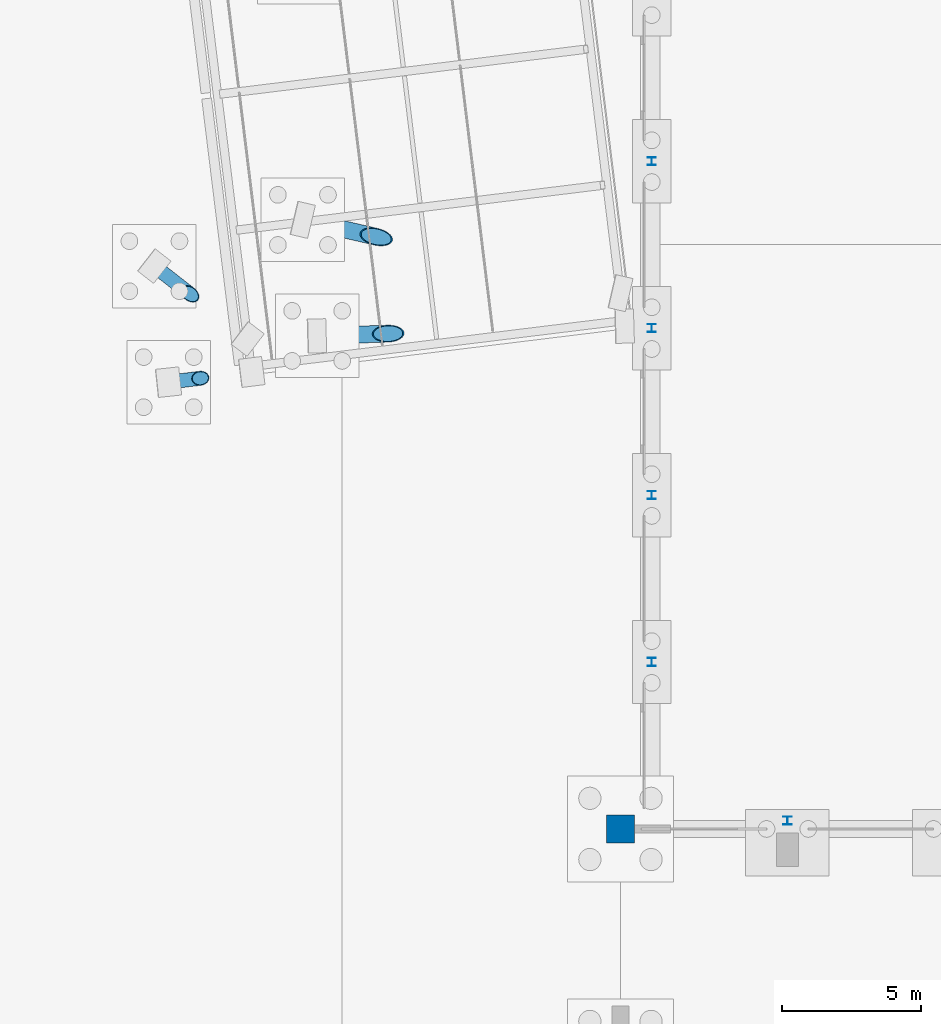
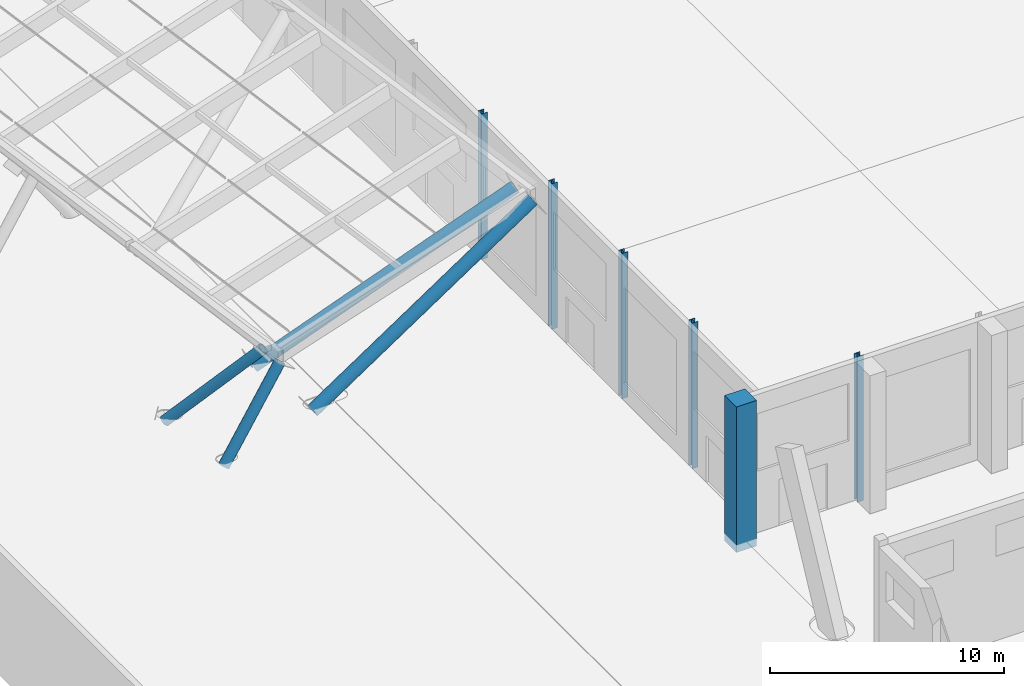
# One storey, part 28 of 239: 10 columns.
"""IFC4 building model written with IfcOpenShell, lengths in metres."""

import ifcopenshell
import ifcopenshell.guid

model = None  # the IFC model being written
_history = None  # IfcOwnerHistory: only IFC2X3 demands one
_inside = {}  # id of a spatial element -> (the spatial element, [elements in it])
_under = {}  # id of a project, library or spatial element -> (it, [spatial elements below it])
_declared = {}  # id of a project -> (the project, [libraries it declares])
_typed = {}  # id of a type object -> (the type object, [elements of that type])
_made_of = {}  # id of a material, layer set ... -> (it, [elements and type objects made of it])


def new_model(schema):
    """Start an empty IFC model of exactly this schema.

    Asked for "IFC4X3", IfcOpenShell would pick the latest addendum, in which some entities
    have other attributes; the version numbers below select the first issue.
    IFC2X3 requires an IfcOwnerHistory on every rooted entity: one is made here for all.
    """
    global model, _history
    if schema == "IFC4X3":
        model = ifcopenshell.file(schema_version=(4, 3, 0, 0))
    else:
        model = ifcopenshell.file(schema=schema)
    _inside.clear()
    _under.clear()
    _declared.clear()
    _typed.clear()
    _made_of.clear()
    _history = None
    if model.schema == "IFC2X3":
        org = make("IfcOrganization", Name="unknown")
        user = make(
            "IfcPersonAndOrganization",
            ThePerson=make("IfcPerson", FamilyName="unknown"),
            TheOrganization=org,
        )
        app = make(
            "IfcApplication",
            ApplicationDeveloper=org,
            Version="unknown",
            ApplicationFullName="unknown",
            ApplicationIdentifier="unknown",
        )
        _history = make(
            "IfcOwnerHistory",
            OwningUser=user,
            OwningApplication=app,
            ChangeAction="ADDED",
            CreationDate=0,
        )
    return model


def make(cls, **values):
    """One entity of the class cls with the attributes given. An attribute that is None is left unset."""
    return model.create_entity(
        cls, **{name: value for name, value in values.items() if value is not None}
    )


def rooted(cls, **values):
    """An entity with a GlobalId (a new one), such as an element, a storey or a relation."""
    return make(cls, GlobalId=ifcopenshell.guid.new(), OwnerHistory=_history, **values)


def si_unit(unit_type, name, prefix=None):
    """IfcSIUnit, for example si_unit("LENGTHUNIT", "METRE", prefix="MILLI")."""
    return make("IfcSIUnit", UnitType=unit_type, Prefix=prefix, Name=name)


def assignment(units):
    """IfcUnitAssignment: the units of a project."""
    return None if units is None else make("IfcUnitAssignment", Units=units)


def point(xyz):
    """IfcCartesianPoint."""
    return None if xyz is None else make("IfcCartesianPoint", Coordinates=xyz)


def direction(xyz):
    """IfcDirection."""
    return None if xyz is None else make("IfcDirection", DirectionRatios=xyz)


def frame(location, z_axis=None, x_axis=None):
    """IfcAxis2Placement3D, a coordinate frame: its origin and axes. An axis left out is left unset."""
    return make(
        "IfcAxis2Placement3D",
        Location=point(location),
        Axis=direction(z_axis),
        RefDirection=direction(x_axis),
    )


def frame_2d(location, x_axis=None):
    """IfcAxis2Placement2D, a coordinate frame in the plane: its origin and x axis."""
    return make(
        "IfcAxis2Placement2D", Location=point(location), RefDirection=direction(x_axis)
    )


def origin():
    """The frame at (0, 0, 0) with its axes left unset."""
    return frame((0.0, 0.0, 0.0))


def origin_2d():
    """The frame at (0, 0) in the plane with its x axis left unset."""
    return frame_2d((0.0, 0.0))


def place(relative_to, where):
    """IfcLocalPlacement: puts the frame where relative to a parent placement (None: the world)."""
    return make(
        "IfcLocalPlacement", PlacementRelTo=relative_to, RelativePlacement=where
    )


def context(
    kind, dimensions, precision=None, world=None, true_north=None, identifier=None
):
    """IfcGeometricRepresentationContext, for example the 3D "Model" context."""
    return make(
        "IfcGeometricRepresentationContext",
        ContextIdentifier=identifier,
        ContextType=kind,
        CoordinateSpaceDimension=dimensions,
        Precision=precision,
        WorldCoordinateSystem=world,
        TrueNorth=true_north,
    )


def subcontext(parent, identifier, kind, view, scale=None):
    """IfcGeometricRepresentationSubContext, for example "Body" below "Model"."""
    return make(
        "IfcGeometricRepresentationSubContext",
        ContextIdentifier=identifier,
        ContextType=kind,
        ParentContext=parent,
        TargetScale=scale,
        TargetView=view,
    )


def project(units=None, contexts=None):
    """IfcProject with its units and contexts."""
    return rooted(
        "IfcProject",
        Name="project",
        RepresentationContexts=contexts,
        UnitsInContext=assignment(units),
    )


def spatial(cls, under=None, at=None, **own):
    """A site, building, storey or space (cls), placed at a placement, below another one or the project."""
    s = rooted(cls, ObjectPlacement=at, **own)
    if under is not None:
        _under.setdefault(under.id(), (under, []))[1].append(s)
    return s


def profile(cls, at=None, kind="AREA", **sizes):
    """A parametric profile (cls). Its sizes go by their IFC names, for example OverallWidth=200.0."""
    return make(cls, ProfileType=kind, Position=at, **sizes)


def rectangle(**sizes):
    """IfcRectangleProfileDef."""
    return profile("IfcRectangleProfileDef", **sizes)


def hollow_circle(**sizes):
    """IfcCircleHollowProfileDef."""
    return profile("IfcCircleHollowProfileDef", **sizes)


def i_section(**sizes):
    """IfcIShapeProfileDef."""
    return profile("IfcIShapeProfileDef", **sizes)


def extrude(swept, where, along, depth):
    """IfcExtrudedAreaSolid: the profile swept, set in the frame where, extruded along a direction by depth."""
    return make(
        "IfcExtrudedAreaSolid",
        SweptArea=swept,
        Position=where,
        ExtrudedDirection=direction(along),
        Depth=depth,
    )


def shape(context_of_items, identifier, shape_type, items):
    """IfcShapeRepresentation: the items that make up one representation, for example the "Body"."""
    return make(
        "IfcShapeRepresentation",
        ContextOfItems=context_of_items,
        RepresentationIdentifier=identifier,
        RepresentationType=shape_type,
        Items=items,
    )


def material(Name=None, Category=None):
    """IfcMaterial."""
    return make("IfcMaterial", Name=Name, Category=Category)


def material_profile(
    of_material, cross_section, Name=None, Category=None, Priority=None
):
    """IfcMaterialProfile: a cross section and its material."""
    return make(
        "IfcMaterialProfile",
        Name=Name,
        Material=of_material,
        Profile=cross_section,
        Priority=Priority,
        Category=Category,
    )


def profile_set(profiles, Name=None, composite=None):
    """IfcMaterialProfileSet."""
    return make(
        "IfcMaterialProfileSet",
        Name=Name,
        MaterialProfiles=profiles,
        CompositeProfile=composite,
    )


def made_of(thing, what):
    """Note that an element or type object is made of a material, layer set ...; save() writes the relation."""
    if what is not None:
        _made_of.setdefault(what.id(), (what, []))[1].append(thing)
    return thing


def type_object(cls, material=None, **own):
    """A type object (cls), such as IfcWallType, which elements share."""
    return made_of(rooted(cls, **own), material)


def element(
    cls,
    number,
    at=None,
    inside=None,
    cuts=None,
    type_object=None,
    material=None,
    context=None,
    identifier="Body",
    shape_type=None,
    held_by="IfcProductDefinitionShape",
    body=None,
    shapes=None,
    **own,
):
    """One element of the class cls, such as IfcWall. Its Tag is "e" and its number.

    at: its placement. inside: the storey or other place that contains it. cuts: it is an
    opening in that element (IfcRelVoidsElement). A single representation is given by context,
    identifier, shape_type and body (its items); several are given by shapes. held_by: the class
    of the entity that holds the representations. save() writes the other relations.
    """
    e = rooted(cls, Tag="e%d" % number, ObjectPlacement=at, **own)
    if body is not None:
        shapes = [shape(context, identifier, shape_type, body)]
    if shapes is not None:
        e.Representation = make(held_by, Representations=shapes)
    if inside is not None:
        _inside.setdefault(inside.id(), (inside, []))[1].append(e)
    if cuts is not None:
        rooted(
            "IfcRelVoidsElement", RelatingBuildingElement=cuts, RelatedOpeningElement=e
        )
    if type_object is not None:
        _typed.setdefault(type_object.id(), (type_object, []))[1].append(e)
    return made_of(e, material)


def aggregate(whole, parts):
    """IfcRelAggregates: a whole, such as a stair, and the parts it consists of."""
    return rooted("IfcRelAggregates", RelatingObject=whole, RelatedObjects=parts)


def save(model, path):
    """Write the relations noted so far, then the file.

    IfcRelAggregates (storeys below a building ...), IfcRelContainedInSpatialStructure (elements
    in a storey), IfcRelDefinesByType, IfcRelAssociatesMaterial and IfcRelDeclares: one each for
    every whole, place, type object, material and project.
    """
    for whole, parts in _under.values():
        aggregate(whole, parts)
    for where, things in _inside.values():
        rooted(
            "IfcRelContainedInSpatialStructure",
            RelatedElements=things,
            RelatingStructure=where,
        )
    for kind, things in _typed.values():
        rooted("IfcRelDefinesByType", RelatedObjects=things, RelatingType=kind)
    for what, things in _made_of.values():
        rooted("IfcRelAssociatesMaterial", RelatedObjects=things, RelatingMaterial=what)
    for by, libraries in _declared.values():
        rooted("IfcRelDeclares", RelatingContext=by, RelatedDefinitions=libraries)
    model.write(path)


model = new_model("IFC4")

# Units and contexts
model_context = context("Model", 3, precision=1e-05, world=origin(), true_north=direction((0.0, 1.0)))
body_context = subcontext(model_context, "Body", "Model", "MODEL_VIEW")
ifc_project = project(units=[si_unit("LENGTHUNIT", "METRE"), si_unit("AREAUNIT", "SQUARE_METRE"), si_unit("VOLUMEUNIT", "CUBIC_METRE"), si_unit("PLANEANGLEUNIT", "RADIAN"), si_unit("MASSUNIT", "GRAM", prefix="KILO")], contexts=[model_context])

# Site, building, storey
site_placement = place(None, origin())
site = spatial("IfcSite", under=ifc_project, at=site_placement, CompositionType="ELEMENT")
building_placement = place(site_placement, origin())
building = spatial("IfcBuilding", under=site, at=building_placement, Name="Okhra Congress Centre", CompositionType="ELEMENT")
storey_placement = place(building_placement, origin())
storey = spatial("IfcBuildingStorey", under=building, at=storey_placement, Name="L00", CompositionType="ELEMENT", Elevation=0.0)

# Columns
ifc_material_1 = material(Name="Steel S355J2", Category="steel")
ifc_material_profile_1 = material_profile(ifc_material_1, i_section(OverallWidth=0.300048828125, OverallDepth=0.2900390625, WebThickness=0.008544921875, FlangeThickness=0.013916015625, at=origin_2d()), Name="HE 300 A")
ifc_profile_set_1 = profile_set([ifc_material_profile_1], Name="Steel S355J2")
column_type_1 = type_object("IfcColumnType", Name="HE 300 A", PredefinedType="COLUMN", material=ifc_profile_set_1)
for number, where, z_axis, x_axis, name in (
    (1, (34.0, 132.300048828125, -0.39990234375), (0.0, 0.0, 1.0), (1.0, 0.0, 0.0), "EH.COL.L00.WP1"),
    (2, (29.125, 138.0, -0.39990234375), (0.0, 0.0, 1.0), (1.0, 0.0, 0.0), "EH.COL.L00.WP15"),
    (3, (29.125, 144.0, -0.39990234375), (0.0, 0.0, 1.0), (1.0, 0.0, 0.0), "EH.COL.L00.WP17"),
    (4, (29.125, 150.0, -0.39990234375), (0.0, 0.0, 1.0), (1.0, 0.0, 0.0), "EH.COL.L00.WP19"),
    (5, (29.125, 156.0, -0.39990234375), (0.0, 0.0, 1.0), (1.0, 0.0, 0.0), "EH.COL.L00.WP21"),
):
    element("IfcColumn", number, at=place(storey_placement, frame(where, z_axis=z_axis, x_axis=x_axis)), inside=storey, type_object=column_type_1, Name=name, PredefinedType="COLUMN", context=body_context, shape_type="SweptSolid", body=[
        extrude(i_section(OverallWidth=0.300048828125, OverallDepth=0.2900390625, WebThickness=0.008544921875, FlangeThickness=0.013916015625, at=origin_2d()), origin(), (0.0, 0.0, 1.0), 7.599853515625),
    ])
ifc_material_2 = material(Name="Concrete C40/50", Category="concrete")
ifc_material_profile_2 = material_profile(ifc_material_2, rectangle(XDim=1.0, YDim=1.0, at=origin_2d()), Name="RC 1000x1000")
ifc_profile_set_2 = profile_set([ifc_material_profile_2], Name="Concrete C40/50")
column_type_2 = type_object("IfcColumnType", Name="RC column 1000x1000 C40/50", PredefinedType="COLUMN", material=ifc_profile_set_2)
column_1_placement = place(storey_placement, frame((28.0, 132.0, -0.39990234375), z_axis=(0.0, 0.0, 1.0), x_axis=(1.0, 0.0, 0.0)))
element("IfcColumn", 6, at=column_1_placement, inside=storey, type_object=column_type_2, Name="EH.COL.L00.SC1", PredefinedType="COLUMN", context=body_context, shape_type="SweptSolid", body=[
    extrude(rectangle(XDim=1.0, YDim=1.0, at=origin_2d()), origin(), (0.0, 0.0, 1.0), 7.599853515625),
])
ifc_material_3 = material(Name="Steel S355J2H", Category="steel")
ifc_material_profile_3 = material_profile(ifc_material_3, hollow_circle(Radius=0.25390625, WallThickness=0.02001953125, at=origin_2d()), Name="CHS 508x20")
ifc_profile_set_3 = profile_set([ifc_material_profile_3], Name="Steel S355J2H")
column_type_3 = type_object("IfcColumnType", Name="Raking steel strut CHS 508x20", PredefinedType="COLUMN", material=ifc_profile_set_3)
column_2_placement = place(storey_placement, frame((11.7626953125, 148.057861328125, -0.39990234375), z_axis=(0.577807918941, 0.070970503655, 0.813081297546), x_axis=(-0.121910993205, 0.992541036802, 0.0)))
element("IfcColumn", 7, at=column_2_placement, inside=storey, type_object=column_type_3, Name="West visor raking strut 1", PredefinedType="COLUMN", context=body_context, shape_type="SweptSolid", body=[
    extrude(hollow_circle(Radius=0.25390625, WallThickness=0.02001953125, at=origin_2d()), origin(), (0.0, 0.0, 1.0), 5.153076171875),
])
column_3_placement = place(storey_placement, frame((11.250732421875, 152.2265625, -0.39990234375), z_axis=(0.560679570104, -0.438053944833, 0.702671446043), x_axis=(0.61566414207, 0.78800867011, 0.0)))
element("IfcColumn", 8, at=column_3_placement, inside=storey, type_object=column_type_3, Name="West visor raking strut 2", PredefinedType="COLUMN", context=body_context, shape_type="SweptSolid", body=[
    extrude(hollow_circle(Radius=0.25390625, WallThickness=0.02001953125, at=origin_2d()), origin(), (0.0, 0.0, 1.0), 5.962890625),
])
ifc_material_profile_4 = material_profile(ifc_material_3, hollow_circle(Radius=0.304931640625, WallThickness=0.02490234375, at=origin_2d()), Name="CHS 610x25")
ifc_profile_set_4 = profile_set([ifc_material_profile_4], Name="Steel S355J2H")
column_type_4 = type_object("IfcColumnType", Name="Raking steel strut CHS 610x25", PredefinedType="COLUMN", material=ifc_profile_set_4)
column_4_placement = place(storey_placement, frame((17.099853515625, 149.720703125, -0.39990234375), z_axis=(0.846430774242, 0.026692547028, 0.531829345137), x_axis=(-0.031519747505, 0.999503129318, 0.0)))
element("IfcColumn", 9, at=column_4_placement, inside=storey, type_object=column_type_4, Name="West visor raking strut 7", PredefinedType="COLUMN", context=body_context, shape_type="SweptSolid", body=[
    extrude(hollow_circle(Radius=0.304931640625, WallThickness=0.02490234375, at=origin_2d()), origin(), (0.0, 0.0, 1.0), 13.042724609375),
])
column_5_placement = place(storey_placement, frame((16.587890625, 153.889404296875, -0.39990234375), z_axis=(0.838287130251, -0.1932741974, 0.50982327514), x_axis=(0.224664512451, 0.974436173818, 0.0)))
element("IfcColumn", 10, at=column_5_placement, inside=storey, type_object=column_type_4, Name="West visor raking strut 8", PredefinedType="COLUMN", context=body_context, shape_type="SweptSolid", body=[
    extrude(hollow_circle(Radius=0.304931640625, WallThickness=0.02490234375, at=origin_2d()), origin(), (0.0, 0.0, 1.0), 13.605712890625),
])

save(model, "model.ifc")
